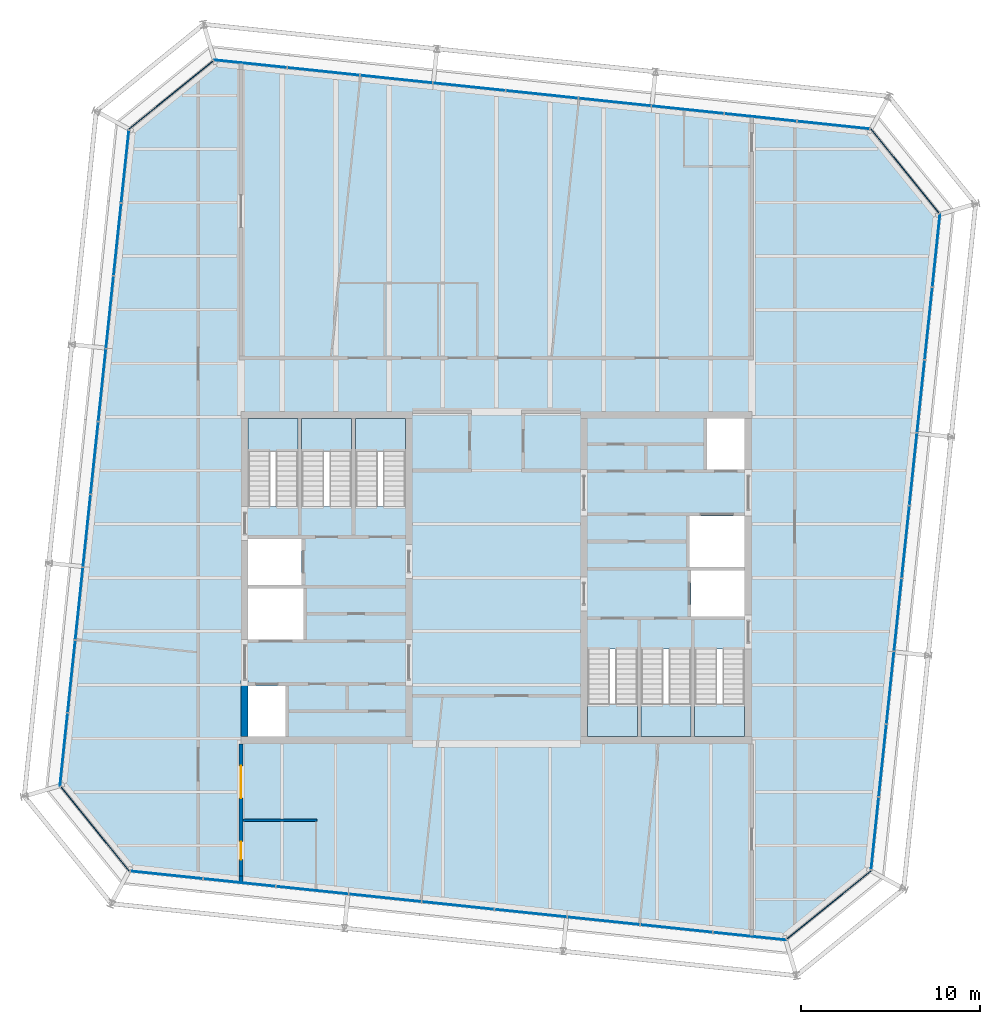
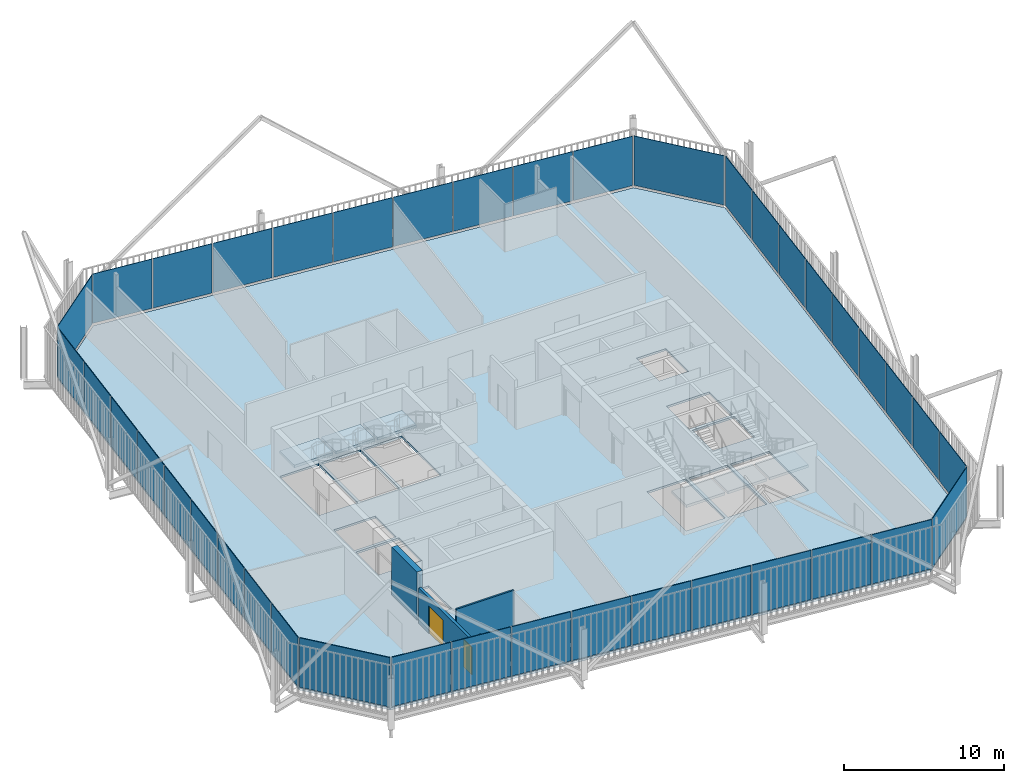
# One storey, part 16 of 21: 40 plates, 7 slabs, 4 walls, 2 doors, 2 openings, 14 elements without a shape of their own.
"""IFC4 building model written with IfcOpenShell, lengths in metres."""

from ifc_helpers import new_model, si_unit, direction, frame, frame_2d, origin, place, context, subcontext, project, spatial, polyline, rectangle, outline, extrude, material, layer, layer_set, type_object, element, fill, aggregate, save


model = new_model("IFC4")

# Units and contexts
model_context = context("Model", 3, precision=1e-05, world=origin(), true_north=direction((0.0, 1.0)))
body_context = subcontext(model_context, "Body", "Model", "MODEL_VIEW")
ifc_project = project(units=[si_unit("LENGTHUNIT", "METRE"), si_unit("AREAUNIT", "SQUARE_METRE"), si_unit("VOLUMEUNIT", "CUBIC_METRE"), si_unit("PLANEANGLEUNIT", "RADIAN"), si_unit("MASSUNIT", "GRAM", prefix="KILO")], contexts=[model_context])

# Site, building, storey
site_placement = place(None, origin())
site = spatial("IfcSite", under=ifc_project, at=site_placement, CompositionType="ELEMENT")
building_placement = place(site_placement, origin())
building = spatial("IfcBuilding", under=site, at=building_placement, Name="Millrace Tower", CompositionType="ELEMENT")
storey_placement = place(building_placement, frame((0.0, 0.0, 307.199951171875)))
storey = spatial("IfcBuildingStorey", under=building, at=storey_placement, Name="L71", CompositionType="ELEMENT", Elevation=307.199951171875)

# Curtain wall, plate
ifc_material_1 = material(Name="Aluminium and glass", Category="aluminium")
ifc_layer_1 = layer(ifc_material_1, 0.14990234375)
ifc_layer_set_1 = layer_set([ifc_layer_1], Name="Aluminium and glass")
curtain_wall_type = type_object("IfcCurtainWallType", Name="CW-1 office vision curtain wall", PredefinedType="NOTDEFINED", material=ifc_layer_set_1)
placement_1 = place(storey_placement, origin())
curtain_wall_1 = element("IfcCurtainWall", 1, at=placement_1, inside=storey, type_object=curtain_wall_type, Name="Curtain wall E-F01 L71", PredefinedType="NOTDEFINED")
ifc_material_2 = material(Name="Glass", Category="glass")
ifc_layer_2 = layer(ifc_material_2, 0.0439453125)
ifc_layer_set_2 = layer_set([ifc_layer_2], Name="Glass")
plate_type = type_object("IfcPlateType", Name="CW-1 office vision curtain wall triple-glazed vision panel", PredefinedType="CURTAIN_PANEL", material=ifc_layer_set_2)
placement_2 = place(storey_placement, frame((0.0, 0.0, 0.14013671875)))
plate_1 = element("IfcPlate", 2, at=placement_2, type_object=plate_type, Name="CW1 panel E-F01.1", PredefinedType="CURTAIN_PANEL", context=body_context, shape_type="SweptSolid", body=[
    extrude(outline(polyline([(-24.388427734375, -11.732421875), (-20.5771484375, -16.439208984375), (-20.554443359375, -16.397216796875), (-24.354248046875, -11.704833984375), (-24.388427734375, -11.732421875)])), origin(), (0.0, 0.0, 1.0), 3.760009765625),
])
aggregate(curtain_wall_1, [plate_1])

# Curtain wall, plates
curtain_wall_2 = element("IfcCurtainWall", 3, at=placement_1, inside=storey, type_object=curtain_wall_type, Name="Curtain wall E-F02 L71", PredefinedType="NOTDEFINED")
plate_2 = element("IfcPlate", 4, at=placement_2, type_object=plate_type, Name="CW1 panel E-F02.1", PredefinedType="CURTAIN_PANEL", context=body_context, shape_type="SweptSolid", body=[
    extrude(outline(polyline([(-20.472412109375, -16.4501953125), (-16.45947265625, -16.871826171875), (-16.454833984375, -16.828125), (-20.4677734375, -16.40625), (-20.472412109375, -16.4501953125)])), origin(), (0.0, 0.0, 1.0), 3.760009765625),
])
plate_3 = element("IfcPlate", 5, at=placement_2, type_object=plate_type, Name="CW1 panel E-F02.2", PredefinedType="CURTAIN_PANEL", context=body_context, shape_type="SweptSolid", body=[
    extrude(outline(polyline([(-16.39501953125, -16.878662109375), (-12.382080078125, -17.300537109375), (-12.37744140625, -17.256591796875), (-16.390380859375, -16.8349609375), (-16.39501953125, -16.878662109375)])), origin(), (0.0, 0.0, 1.0), 3.760009765625),
])
plate_4 = element("IfcPlate", 6, at=placement_2, type_object=plate_type, Name="CW1 panel E-F02.3", PredefinedType="CURTAIN_PANEL", context=body_context, shape_type="SweptSolid", body=[
    extrude(outline(polyline([(-12.3173828125, -17.30712890625), (-8.304443359375, -17.72900390625), (-8.2998046875, -17.685302734375), (-12.312744140625, -17.263427734375), (-12.3173828125, -17.30712890625)])), origin(), (0.0, 0.0, 1.0), 3.760009765625),
])
plate_5 = element("IfcPlate", 7, at=placement_2, type_object=plate_type, Name="CW1 panel E-F02.4", PredefinedType="CURTAIN_PANEL", context=body_context, shape_type="SweptSolid", body=[
    extrude(outline(polyline([(-8.23974609375, -17.73583984375), (-4.22705078125, -18.157470703125), (-4.222412109375, -18.11376953125), (-8.235107421875, -17.692138671875), (-8.23974609375, -17.73583984375)])), origin(), (0.0, 0.0, 1.0), 3.760009765625),
])
plate_6 = element("IfcPlate", 8, at=placement_2, type_object=plate_type, Name="CW1 panel E-F02.5", PredefinedType="CURTAIN_PANEL", context=body_context, shape_type="SweptSolid", body=[
    extrude(outline(polyline([(-4.162353515625, -18.164306640625), (-0.1494140625, -18.586181640625), (-0.144775390625, -18.54248046875), (-4.15771484375, -18.12060546875), (-4.162353515625, -18.164306640625)])), origin(), (0.0, 0.0, 1.0), 3.760009765625),
])
plate_7 = element("IfcPlate", 9, at=placement_2, type_object=plate_type, Name="CW1 panel E-F02.6", PredefinedType="CURTAIN_PANEL", context=body_context, shape_type="SweptSolid", body=[
    extrude(outline(polyline([(-0.084716796875, -18.593017578125), (3.92822265625, -19.0146484375), (3.932861328125, -18.970947265625), (-0.080078125, -18.549072265625), (-0.084716796875, -18.593017578125)])), origin(), (0.0, 0.0, 1.0), 3.760009765625),
])
plate_8 = element("IfcPlate", 10, at=placement_2, type_object=plate_type, Name="CW1 panel E-F02.7", PredefinedType="CURTAIN_PANEL", context=body_context, shape_type="SweptSolid", body=[
    extrude(outline(polyline([(3.99267578125, -19.021484375), (8.005615234375, -19.443359375), (8.01025390625, -19.3994140625), (3.997314453125, -18.977783203125), (3.99267578125, -19.021484375)])), origin(), (0.0, 0.0, 1.0), 3.760009765625),
])
plate_9 = element("IfcPlate", 11, at=placement_2, type_object=plate_type, Name="CW1 panel E-F02.8", PredefinedType="CURTAIN_PANEL", context=body_context, shape_type="SweptSolid", body=[
    extrude(outline(polyline([(8.0703125, -19.449951171875), (12.083251953125, -19.871826171875), (12.087890625, -19.828125), (8.074951171875, -19.40625), (8.0703125, -19.449951171875)])), origin(), (0.0, 0.0, 1.0), 3.760009765625),
])
plate_10 = element("IfcPlate", 12, at=placement_2, type_object=plate_type, Name="CW1 panel E-F02.9", PredefinedType="CURTAIN_PANEL", context=body_context, shape_type="SweptSolid", body=[
    extrude(outline(polyline([(12.14794921875, -19.878662109375), (16.20068359375, -20.3046875), (16.187255859375, -20.259033203125), (12.152587890625, -19.8349609375), (12.14794921875, -19.878662109375)])), origin(), (0.0, 0.0, 1.0), 3.760009765625),
])
aggregate(curtain_wall_2, [plate_2, plate_3, plate_4, plate_5, plate_6, plate_7, plate_8, plate_9, plate_10])

# Curtain wall, plate
curtain_wall_3 = element("IfcCurtainWall", 13, at=placement_1, inside=storey, type_object=curtain_wall_type, Name="Curtain wall E-F03 L71", PredefinedType="NOTDEFINED")
plate_11 = element("IfcPlate", 14, at=placement_2, type_object=plate_type, Name="CW1 panel E-F03.1", PredefinedType="CURTAIN_PANEL", context=body_context, shape_type="SweptSolid", body=[
    extrude(outline(polyline([(16.282470703125, -20.23828125), (20.989013671875, -16.427001953125), (20.947265625, -16.404296875), (16.2548828125, -20.2041015625), (16.282470703125, -20.23828125)])), origin(), (0.0, 0.0, 1.0), 3.760009765625),
])
aggregate(curtain_wall_3, [plate_11])

# Curtain wall, plates
curtain_wall_4 = element("IfcCurtainWall", 15, at=placement_1, inside=storey, type_object=curtain_wall_type, Name="Curtain wall E-F04 L71", PredefinedType="NOTDEFINED")
plate_12 = element("IfcPlate", 16, at=placement_2, type_object=plate_type, Name="CW1 panel E-F04.1", PredefinedType="CURTAIN_PANEL", context=body_context, shape_type="SweptSolid", body=[
    extrude(outline(polyline([(21.0, -16.322509765625), (21.421875, -12.3095703125), (21.378173828125, -12.304931640625), (20.956298828125, -16.31787109375), (21.0, -16.322509765625)])), origin(), (0.0, 0.0, 1.0), 3.760009765625),
])
plate_13 = element("IfcPlate", 17, at=placement_2, type_object=plate_type, Name="CW1 panel E-F04.2", PredefinedType="CURTAIN_PANEL", context=body_context, shape_type="SweptSolid", body=[
    extrude(outline(polyline([(21.4287109375, -12.244873046875), (21.850341796875, -8.23193359375), (21.806640625, -8.227294921875), (21.385009765625, -12.240234375), (21.4287109375, -12.244873046875)])), origin(), (0.0, 0.0, 1.0), 3.760009765625),
])
plate_14 = element("IfcPlate", 18, at=placement_2, type_object=plate_type, Name="CW1 panel E-F04.3", PredefinedType="CURTAIN_PANEL", context=body_context, shape_type="SweptSolid", body=[
    extrude(outline(polyline([(21.857177734375, -8.16748046875), (22.279052734375, -4.154541015625), (22.2353515625, -4.14990234375), (21.8134765625, -8.162841796875), (21.857177734375, -8.16748046875)])), origin(), (0.0, 0.0, 1.0), 3.760009765625),
])
plate_15 = element("IfcPlate", 19, at=placement_2, type_object=plate_type, Name="CW1 panel E-F04.4", PredefinedType="CURTAIN_PANEL", context=body_context, shape_type="SweptSolid", body=[
    extrude(outline(polyline([(22.285888671875, -4.08984375), (22.70751953125, -0.076904296875), (22.663818359375, -0.072265625), (22.241943359375, -4.085205078125), (22.285888671875, -4.08984375)])), origin(), (0.0, 0.0, 1.0), 3.760009765625),
])
plate_16 = element("IfcPlate", 20, at=placement_2, type_object=plate_type, Name="CW1 panel E-F04.5", PredefinedType="CURTAIN_PANEL", context=body_context, shape_type="SweptSolid", body=[
    extrude(outline(polyline([(22.71435546875, -0.01220703125), (23.13623046875, 4.00048828125), (23.09228515625, 4.005126953125), (22.670654296875, -0.007568359375), (22.71435546875, -0.01220703125)])), origin(), (0.0, 0.0, 1.0), 3.760009765625),
])
plate_17 = element("IfcPlate", 21, at=placement_2, type_object=plate_type, Name="CW1 panel E-F04.6", PredefinedType="CURTAIN_PANEL", context=body_context, shape_type="SweptSolid", body=[
    extrude(outline(polyline([(23.142822265625, 4.065185546875), (23.564697265625, 8.078125), (23.52099609375, 8.082763671875), (23.09912109375, 4.06982421875), (23.142822265625, 4.065185546875)])), origin(), (0.0, 0.0, 1.0), 3.760009765625),
])
plate_18 = element("IfcPlate", 22, at=placement_2, type_object=plate_type, Name="CW1 panel E-F04.7", PredefinedType="CURTAIN_PANEL", context=body_context, shape_type="SweptSolid", body=[
    extrude(outline(polyline([(23.571533203125, 8.142822265625), (23.9931640625, 12.15576171875), (23.949462890625, 12.160400390625), (23.52783203125, 8.1474609375), (23.571533203125, 8.142822265625)])), origin(), (0.0, 0.0, 1.0), 3.760009765625),
])
plate_19 = element("IfcPlate", 23, at=placement_2, type_object=plate_type, Name="CW1 panel E-F04.8", PredefinedType="CURTAIN_PANEL", context=body_context, shape_type="SweptSolid", body=[
    extrude(outline(polyline([(24.0, 12.22021484375), (24.421875, 16.233154296875), (24.378173828125, 16.23779296875), (23.956298828125, 12.224853515625), (24.0, 12.22021484375)])), origin(), (0.0, 0.0, 1.0), 3.760009765625),
])
plate_20 = element("IfcPlate", 24, at=placement_2, type_object=plate_type, Name="CW1 panel E-F04.9", PredefinedType="CURTAIN_PANEL", context=body_context, shape_type="SweptSolid", body=[
    extrude(outline(polyline([(24.4287109375, 16.2978515625), (24.8544921875, 20.350830078125), (24.808837890625, 20.337158203125), (24.384765625, 16.302490234375), (24.4287109375, 16.2978515625)])), origin(), (0.0, 0.0, 1.0), 3.760009765625),
])
aggregate(curtain_wall_4, [plate_12, plate_13, plate_14, plate_15, plate_16, plate_17, plate_18, plate_19, plate_20])

# Curtain wall, plate
curtain_wall_5 = element("IfcCurtainWall", 25, at=placement_1, inside=storey, type_object=curtain_wall_type, Name="Curtain wall E-F05 L71", PredefinedType="NOTDEFINED")
plate_21 = element("IfcPlate", 26, at=placement_2, type_object=plate_type, Name="CW1 panel E-F05.1", PredefinedType="CURTAIN_PANEL", context=body_context, shape_type="SweptSolid", body=[
    extrude(outline(polyline([(24.788330078125, 20.432373046875), (20.97705078125, 25.13916015625), (20.954345703125, 25.09716796875), (24.754150390625, 20.40478515625), (24.788330078125, 20.432373046875)])), origin(), (0.0, 0.0, 1.0), 3.760009765625),
])
aggregate(curtain_wall_5, [plate_21])

# Curtain wall, plates
curtain_wall_6 = element("IfcCurtainWall", 27, at=placement_1, inside=storey, type_object=curtain_wall_type, Name="Curtain wall E-F06 L71", PredefinedType="NOTDEFINED")
plate_22 = element("IfcPlate", 28, at=placement_2, type_object=plate_type, Name="CW1 panel E-F06.1", PredefinedType="CURTAIN_PANEL", context=body_context, shape_type="SweptSolid", body=[
    extrude(outline(polyline([(20.87255859375, 25.150146484375), (16.859619140625, 25.57177734375), (16.85498046875, 25.528076171875), (20.867919921875, 25.1064453125), (20.87255859375, 25.150146484375)])), origin(), (0.0, 0.0, 1.0), 3.760009765625),
])
plate_23 = element("IfcPlate", 29, at=placement_2, type_object=plate_type, Name="CW1 panel E-F06.2", PredefinedType="CURTAIN_PANEL", context=body_context, shape_type="SweptSolid", body=[
    extrude(outline(polyline([(16.794921875, 25.57861328125), (12.781982421875, 26.00048828125), (12.77734375, 25.956787109375), (16.790283203125, 25.534912109375), (16.794921875, 25.57861328125)])), origin(), (0.0, 0.0, 1.0), 3.760009765625),
])
plate_24 = element("IfcPlate", 30, at=placement_2, type_object=plate_type, Name="CW1 panel E-F06.3", PredefinedType="CURTAIN_PANEL", context=body_context, shape_type="SweptSolid", body=[
    extrude(outline(polyline([(12.71728515625, 26.00732421875), (8.70458984375, 26.428955078125), (8.699951171875, 26.38525390625), (12.712646484375, 25.96337890625), (12.71728515625, 26.00732421875)])), origin(), (0.0, 0.0, 1.0), 3.760009765625),
])
plate_25 = element("IfcPlate", 31, at=placement_2, type_object=plate_type, Name="CW1 panel E-F06.4", PredefinedType="CURTAIN_PANEL", context=body_context, shape_type="SweptSolid", body=[
    extrude(outline(polyline([(8.639892578125, 26.435791015625), (4.626953125, 26.857666015625), (4.622314453125, 26.813720703125), (8.63525390625, 26.39208984375), (8.639892578125, 26.435791015625)])), origin(), (0.0, 0.0, 1.0), 3.760009765625),
])
plate_26 = element("IfcPlate", 32, at=placement_2, type_object=plate_type, Name="CW1 panel E-F06.5", PredefinedType="CURTAIN_PANEL", context=body_context, shape_type="SweptSolid", body=[
    extrude(outline(polyline([(4.562255859375, 26.8642578125), (0.54931640625, 27.2861328125), (0.544677734375, 27.242431640625), (4.5576171875, 26.820556640625), (4.562255859375, 26.8642578125)])), origin(), (0.0, 0.0, 1.0), 3.760009765625),
])
plate_27 = element("IfcPlate", 33, at=placement_2, type_object=plate_type, Name="CW1 panel E-F06.6", PredefinedType="CURTAIN_PANEL", context=body_context, shape_type="SweptSolid", body=[
    extrude(outline(polyline([(0.48486328125, 27.29296875), (-3.528076171875, 27.714599609375), (-3.53271484375, 27.6708984375), (0.480224609375, 27.249267578125), (0.48486328125, 27.29296875)])), origin(), (0.0, 0.0, 1.0), 3.760009765625),
])
plate_28 = element("IfcPlate", 34, at=placement_2, type_object=plate_type, Name="CW1 panel E-F06.7", PredefinedType="CURTAIN_PANEL", context=body_context, shape_type="SweptSolid", body=[
    extrude(outline(polyline([(-3.5927734375, 27.721435546875), (-7.605712890625, 28.143310546875), (-7.6103515625, 28.099609375), (-3.597412109375, 27.677734375), (-3.5927734375, 27.721435546875)])), origin(), (0.0, 0.0, 1.0), 3.760009765625),
])
plate_29 = element("IfcPlate", 35, at=placement_2, type_object=plate_type, Name="CW1 panel E-F06.8", PredefinedType="CURTAIN_PANEL", context=body_context, shape_type="SweptSolid", body=[
    extrude(outline(polyline([(-7.67041015625, 28.150146484375), (-11.68310546875, 28.57177734375), (-11.687744140625, 28.528076171875), (-7.675048828125, 28.106201171875), (-7.67041015625, 28.150146484375)])), origin(), (0.0, 0.0, 1.0), 3.760009765625),
])
plate_30 = element("IfcPlate", 36, at=placement_2, type_object=plate_type, Name="CW1 panel E-F06.9", PredefinedType="CURTAIN_PANEL", context=body_context, shape_type="SweptSolid", body=[
    extrude(outline(polyline([(-11.747802734375, 28.57861328125), (-15.80078125, 29.004638671875), (-15.787109375, 28.958984375), (-11.75244140625, 28.534912109375), (-11.747802734375, 28.57861328125)])), origin(), (0.0, 0.0, 1.0), 3.760009765625),
])
aggregate(curtain_wall_6, [plate_22, plate_23, plate_24, plate_25, plate_26, plate_27, plate_28, plate_29, plate_30])

# Curtain wall, plate
curtain_wall_7 = element("IfcCurtainWall", 37, at=placement_1, inside=storey, type_object=curtain_wall_type, Name="Curtain wall E-F07 L71", PredefinedType="NOTDEFINED")
plate_31 = element("IfcPlate", 38, at=placement_2, type_object=plate_type, Name="CW1 panel E-F07.1", PredefinedType="CURTAIN_PANEL", context=body_context, shape_type="SweptSolid", body=[
    extrude(outline(polyline([(-15.882568359375, 28.9384765625), (-20.589111328125, 25.126953125), (-20.547119140625, 25.104248046875), (-15.854736328125, 28.904296875), (-15.882568359375, 28.9384765625)])), origin(), (0.0, 0.0, 1.0), 3.760009765625),
])
aggregate(curtain_wall_7, [plate_31])

# Curtain wall, plates
curtain_wall_8 = element("IfcCurtainWall", 39, at=placement_1, inside=storey, type_object=curtain_wall_type, Name="Curtain wall E-F08 L71", PredefinedType="NOTDEFINED")
plate_32 = element("IfcPlate", 40, at=placement_2, type_object=plate_type, Name="CW1 panel E-F08.1", PredefinedType="CURTAIN_PANEL", context=body_context, shape_type="SweptSolid", body=[
    extrude(outline(polyline([(-20.60009765625, 25.0224609375), (-21.02197265625, 21.009521484375), (-20.97802734375, 21.0048828125), (-20.556396484375, 25.017822265625), (-20.60009765625, 25.0224609375)])), origin(), (0.0, 0.0, 1.0), 3.760009765625),
])
plate_33 = element("IfcPlate", 41, at=placement_2, type_object=plate_type, Name="CW1 panel E-F08.2", PredefinedType="CURTAIN_PANEL", context=body_context, shape_type="SweptSolid", body=[
    extrude(outline(polyline([(-21.028564453125, 20.94482421875), (-21.450439453125, 16.93212890625), (-21.40673828125, 16.927490234375), (-20.98486328125, 20.9404296875), (-21.028564453125, 20.94482421875)])), origin(), (0.0, 0.0, 1.0), 3.760009765625),
])
plate_34 = element("IfcPlate", 42, at=placement_2, type_object=plate_type, Name="CW1 panel E-F08.3", PredefinedType="CURTAIN_PANEL", context=body_context, shape_type="SweptSolid", body=[
    extrude(outline(polyline([(-21.457275390625, 16.867431640625), (-21.87890625, 12.8544921875), (-21.835205078125, 12.849853515625), (-21.41357421875, 16.86279296875), (-21.457275390625, 16.867431640625)])), origin(), (0.0, 0.0, 1.0), 3.760009765625),
])
plate_35 = element("IfcPlate", 43, at=placement_2, type_object=plate_type, Name="CW1 panel E-F08.4", PredefinedType="CURTAIN_PANEL", context=body_context, shape_type="SweptSolid", body=[
    extrude(outline(polyline([(-21.8857421875, 12.789794921875), (-22.3076171875, 8.77685546875), (-22.263916015625, 8.772216796875), (-21.842041015625, 12.78515625), (-21.8857421875, 12.789794921875)])), origin(), (0.0, 0.0, 1.0), 3.760009765625),
])
plate_36 = element("IfcPlate", 44, at=placement_2, type_object=plate_type, Name="CW1 panel E-F08.5", PredefinedType="CURTAIN_PANEL", context=body_context, shape_type="SweptSolid", body=[
    extrude(outline(polyline([(-22.314453125, 8.71240234375), (-22.736083984375, 4.699462890625), (-22.6923828125, 4.69482421875), (-22.2705078125, 8.707763671875), (-22.314453125, 8.71240234375)])), origin(), (0.0, 0.0, 1.0), 3.760009765625),
])
plate_37 = element("IfcPlate", 45, at=placement_2, type_object=plate_type, Name="CW1 panel E-F08.6", PredefinedType="CURTAIN_PANEL", context=body_context, shape_type="SweptSolid", body=[
    extrude(outline(polyline([(-22.742919921875, 4.634765625), (-23.164794921875, 0.621826171875), (-23.120849609375, 0.6171875), (-22.69921875, 4.630126953125), (-22.742919921875, 4.634765625)])), origin(), (0.0, 0.0, 1.0), 3.760009765625),
])
plate_38 = element("IfcPlate", 46, at=placement_2, type_object=plate_type, Name="CW1 panel E-F08.7", PredefinedType="CURTAIN_PANEL", context=body_context, shape_type="SweptSolid", body=[
    extrude(outline(polyline([(-23.17138671875, 0.55712890625), (-23.59326171875, -3.45556640625), (-23.549560546875, -3.460205078125), (-23.127685546875, 0.552490234375), (-23.17138671875, 0.55712890625)])), origin(), (0.0, 0.0, 1.0), 3.760009765625),
])
plate_39 = element("IfcPlate", 47, at=placement_2, type_object=plate_type, Name="CW1 panel E-F08.8", PredefinedType="CURTAIN_PANEL", context=body_context, shape_type="SweptSolid", body=[
    extrude(outline(polyline([(-23.60009765625, -3.520263671875), (-24.021728515625, -7.533203125), (-23.97802734375, -7.537841796875), (-23.556396484375, -3.52490234375), (-23.60009765625, -3.520263671875)])), origin(), (0.0, 0.0, 1.0), 3.760009765625),
])
plate_40 = element("IfcPlate", 48, at=placement_2, type_object=plate_type, Name="CW1 panel E-F08.9", PredefinedType="CURTAIN_PANEL", context=body_context, shape_type="SweptSolid", body=[
    extrude(outline(polyline([(-24.028564453125, -7.597900390625), (-24.45458984375, -11.650634765625), (-24.408935546875, -11.63720703125), (-23.98486328125, -7.6025390625), (-24.028564453125, -7.597900390625)])), origin(), (0.0, 0.0, 1.0), 3.760009765625),
])
aggregate(curtain_wall_8, [plate_32, plate_33, plate_34, plate_35, plate_36, plate_37, plate_38, plate_39, plate_40])

# Slab
ifc_material_3 = material(Name="Concrete C35 on steel deck", Category="concrete")
ifc_layer_3 = layer(ifc_material_3, 0.159912109375)
ifc_layer_set_3 = layer_set([ifc_layer_3], Name="Concrete C35 on steel deck")
slab_type_1 = type_object("IfcSlabType", Name="Composite floor slab 160 mm", PredefinedType="FLOOR", material=ifc_layer_set_3)
slab_1_placement = place(storey_placement, frame((0.0, 0.0, -0.159912109375)))
element("IfcSlab", 49, at=slab_1_placement, inside=storey, type_object=slab_type_1, Name="SL-E-L71-S1", PredefinedType="FLOOR", context=body_context, shape_type="SweptSolid", body=[
    extrude(outline(polyline([(-24.35400390625, -11.620849609375), (-20.52685546875, -16.346923828125), (16.1708984375, -20.203857421875), (20.896728515625, -16.376953125), (24.75390625, 20.32080078125), (20.927001953125, 25.046875), (-15.77099609375, 28.90380859375), (-20.496826171875, 25.076904296875), (-24.35400390625, -11.620849609375)]), holes=[polyline([(-13.89990234375, -8.89990234375), (-11.800048828125, -8.89990234375), (-11.800048828125, -6.050048828125), (-13.89990234375, -6.050048828125), (-13.89990234375, -8.89990234375)]), polyline([(-13.89990234375, -3.449951171875), (-10.800048828125, -3.449951171875), (-10.800048828125, -0.60009765625), (-13.89990234375, -0.60009765625), (-13.89990234375, -3.449951171875)]), polyline([(-13.89990234375, -0.39990234375), (-10.89990234375, -0.39990234375), (-10.89990234375, 2.179931640625), (-13.89990234375, 2.179931640625), (-13.89990234375, -0.39990234375)]), polyline([(-13.89990234375, 4.0), (-11.10009765625, 4.0), (-11.10009765625, 8.89990234375), (-13.89990234375, 8.89990234375), (-13.89990234375, 4.0)]), polyline([(-10.89990234375, 4.0), (-8.10009765625, 4.0), (-8.10009765625, 8.89990234375), (-10.89990234375, 8.89990234375), (-10.89990234375, 4.0)]), polyline([(-7.89990234375, 4.0), (-5.10009765625, 4.0), (-5.10009765625, 8.89990234375), (-7.89990234375, 8.89990234375), (-7.89990234375, 4.0)]), polyline([(11.800048828125, 6.050048828125), (13.89990234375, 6.050048828125), (13.89990234375, 8.89990234375), (11.800048828125, 8.89990234375), (11.800048828125, 6.050048828125)]), polyline([(10.800048828125, 0.60009765625), (13.89990234375, 0.60009765625), (13.89990234375, 3.449951171875), (10.800048828125, 3.449951171875), (10.800048828125, 0.60009765625)]), polyline([(10.89990234375, -2.179931640625), (13.89990234375, -2.179931640625), (13.89990234375, 0.39990234375), (10.89990234375, 0.39990234375), (10.89990234375, -2.179931640625)]), polyline([(11.10009765625, -8.89990234375), (13.89990234375, -8.89990234375), (13.89990234375, -4.0), (11.10009765625, -4.0), (11.10009765625, -8.89990234375)]), polyline([(8.10009765625, -8.89990234375), (10.89990234375, -8.89990234375), (10.89990234375, -4.0), (8.10009765625, -4.0), (8.10009765625, -8.89990234375)]), polyline([(5.10009765625, -8.89990234375), (7.89990234375, -8.89990234375), (7.89990234375, -4.0), (5.10009765625, -4.0), (5.10009765625, -8.89990234375)])]), origin(), (0.0, 0.0, 1.0), 0.159912109375),
])

# Stair, slab
ifc_material_4 = material(Name="Concrete C35", Category="concrete")
stair_type = type_object("IfcStairType", Name="Exit stair", PredefinedType="HALF_TURN_STAIR", material=ifc_material_4)
stair_1 = element("IfcStair", 50, at=placement_1, inside=storey, type_object=stair_type, Name="Stair 1 W L71", PredefinedType="HALF_TURN_STAIR")
ifc_material_5 = material(Name="Concrete C40", Category="concrete")
ifc_layer_4 = layer(ifc_material_5, 0.199951171875)
ifc_layer_set_4 = layer_set([ifc_layer_4], Name="Concrete C40")
slab_type_2 = type_object("IfcSlabType", Name="Stair landing", PredefinedType="LANDING", material=ifc_layer_set_4)
placement_3 = place(storey_placement, frame((0.0, 0.0, 1.75)))
slab_2 = element("IfcSlab", 51, at=placement_3, type_object=slab_type_2, Name="ST12 landing 1", PredefinedType="LANDING", context=body_context, shape_type="SweptSolid", body=[
    extrude(outline(polyline([(-13.89990234375, 7.080078125), (-11.10009765625, 7.080078125), (-11.10009765625, 8.89990234375), (-13.89990234375, 8.89990234375), (-13.89990234375, 7.080078125)])), origin(), (0.0, 0.0, 1.0), 0.199951171875),
])
aggregate(stair_1, [slab_2])

stair_2 = element("IfcStair", 52, at=placement_1, inside=storey, type_object=stair_type, Name="Stair 2 W L71", PredefinedType="HALF_TURN_STAIR")
slab_3 = element("IfcSlab", 53, at=placement_3, type_object=slab_type_2, Name="ST12 landing 1", PredefinedType="LANDING", context=body_context, shape_type="SweptSolid", body=[
    extrude(outline(polyline([(-10.89990234375, 7.080078125), (-8.10009765625, 7.080078125), (-8.10009765625, 8.89990234375), (-10.89990234375, 8.89990234375), (-10.89990234375, 7.080078125)])), origin(), (0.0, 0.0, 1.0), 0.199951171875),
])
aggregate(stair_2, [slab_3])

stair_3 = element("IfcStair", 54, at=placement_1, inside=storey, type_object=stair_type, Name="Stair 3 W L71", PredefinedType="HALF_TURN_STAIR")
slab_4 = element("IfcSlab", 55, at=placement_3, type_object=slab_type_2, Name="ST12 landing 1", PredefinedType="LANDING", context=body_context, shape_type="SweptSolid", body=[
    extrude(outline(polyline([(-7.89990234375, 7.080078125), (-5.10009765625, 7.080078125), (-5.10009765625, 8.89990234375), (-7.89990234375, 8.89990234375), (-7.89990234375, 7.080078125)])), origin(), (0.0, 0.0, 1.0), 0.199951171875),
])
aggregate(stair_3, [slab_4])

stair_4 = element("IfcStair", 56, at=placement_1, inside=storey, type_object=stair_type, Name="Stair 1 E L71", PredefinedType="HALF_TURN_STAIR")
slab_5 = element("IfcSlab", 57, at=placement_3, type_object=slab_type_2, Name="ST12 landing 1", PredefinedType="LANDING", context=body_context, shape_type="SweptSolid", body=[
    extrude(outline(polyline([(11.10009765625, -8.89990234375), (13.89990234375, -8.89990234375), (13.89990234375, -7.080078125), (11.10009765625, -7.080078125), (11.10009765625, -8.89990234375)])), origin(), (0.0, 0.0, 1.0), 0.199951171875),
])
aggregate(stair_4, [slab_5])

stair_5 = element("IfcStair", 58, at=placement_1, inside=storey, type_object=stair_type, Name="Stair 2 E L71", PredefinedType="HALF_TURN_STAIR")
slab_6 = element("IfcSlab", 59, at=placement_3, type_object=slab_type_2, Name="ST12 landing 1", PredefinedType="LANDING", context=body_context, shape_type="SweptSolid", body=[
    extrude(outline(polyline([(8.10009765625, -8.89990234375), (10.89990234375, -8.89990234375), (10.89990234375, -7.080078125), (8.10009765625, -7.080078125), (8.10009765625, -8.89990234375)])), origin(), (0.0, 0.0, 1.0), 0.199951171875),
])
aggregate(stair_5, [slab_6])

stair_6 = element("IfcStair", 60, at=placement_1, inside=storey, type_object=stair_type, Name="Stair 3 E L71", PredefinedType="HALF_TURN_STAIR")
slab_7 = element("IfcSlab", 61, at=placement_3, type_object=slab_type_2, Name="ST12 landing 1", PredefinedType="LANDING", context=body_context, shape_type="SweptSolid", body=[
    extrude(outline(polyline([(5.10009765625, -8.89990234375), (7.89990234375, -8.89990234375), (7.89990234375, -7.080078125), (5.10009765625, -7.080078125), (5.10009765625, -8.89990234375)])), origin(), (0.0, 0.0, 1.0), 0.199951171875),
])
aggregate(stair_6, [slab_7])

# Walls
ifc_material_6 = material(Name="Concrete C60", Category="concrete")
ifc_layer_5 = layer(ifc_material_6, 0.39990234375)
ifc_layer_set_5 = layer_set([ifc_layer_5], Name="Concrete C60")
wall_type_1 = type_object("IfcWallType", Name="Core wall 400 Concrete C60", PredefinedType="SHEAR", material=ifc_layer_set_5)
wall_1_placement = place(storey_placement, frame((-14.10009765625, -8.89990234375, 0.0), z_axis=(0.0, 0.0, 1.0), x_axis=(0.0, 1.0, 0.0)))
element("IfcWall", 62, at=wall_1_placement, inside=storey, type_object=wall_type_1, Name="Core wall W L71", PredefinedType="SHEAR", context=body_context, shape_type="SweptSolid", body=[
    extrude(rectangle(XDim=3.14990234375, YDim=0.39990234375, at=frame_2d((1.574951171875, 0.0))), origin(), (0.0, 0.0, 1.0), 3.650146484375),
])
ifc_material_7 = material(Name="Masonry partition, fire-rated", Category="masonry")
ifc_layer_6 = layer(ifc_material_7, 0.199951171875)
ifc_layer_set_6 = layer_set([ifc_layer_6], Name="Masonry partition, fire-rated")
wall_type_2 = type_object("IfcWallType", Name="Corridor wall 200", PredefinedType="PARTITIONING", material=ifc_layer_set_6)
wall_2_placement = place(storey_placement, frame((-14.300048828125, -17.031494140625, 0.0), z_axis=(0.0, 0.0, 1.0), x_axis=(0.0, 1.0, 0.0)))
element("IfcWall", 63, at=wall_2_placement, inside=storey, type_object=wall_type_2, Name="Corridor wall L71", PredefinedType="PARTITIONING", context=body_context, shape_type="SweptSolid", body=[
    extrude(rectangle(XDim=0.339111328125, YDim=0.199951171875, at=frame_2d((0.16943359375, 0.0))), origin(), (0.0, 0.0, 1.0), 3.650146484375),
])

# Wall, openings, doors
wall_3_placement = place(storey_placement, frame((-14.300048828125, -16.6923828125, 0.0), z_axis=(0.0, 0.0, 1.0), x_axis=(0.0, 1.0, 0.0)))
wall_3 = element("IfcWall", 64, at=wall_3_placement, inside=storey, type_object=wall_type_2, Name="Corridor wall L71", PredefinedType="PARTITIONING", context=body_context, shape_type="SweptSolid", body=[
    extrude(rectangle(XDim=7.392333984375, YDim=0.199951171875, at=frame_2d((3.6962890625, 0.0))), origin(), (0.0, 0.0, 1.0), 2.722900390625),
])
opening_1_placement = place(wall_3_placement, frame((4.351806640625, 0.0, 0.0)))
opening_1 = element("IfcOpeningElement", 65, at=opening_1_placement, cuts=wall_3, Name="Opening 71-P010", PredefinedType="OPENING", context=body_context, shape_type="SweptSolid", body=[
    extrude(rectangle(XDim=1.800048828125, YDim=2.10009765625, at=frame_2d((0.89990234375, 1.050048828125))), frame((0.0, 0.10986328125, 0.0), z_axis=(0.0, -1.0, 0.0), x_axis=(1.0, 0.0, 0.0)), (0.0, 0.0, 1.0), 0.219970703125),
])
opening_2_placement = place(wall_3_placement, frame((0.911376953125, 0.0, 0.0)))
opening_2 = element("IfcOpeningElement", 66, at=opening_2_placement, cuts=wall_3, Name="Opening 71-P011", PredefinedType="OPENING", context=body_context, shape_type="SweptSolid", body=[
    extrude(rectangle(XDim=1.0, YDim=2.10009765625, at=frame_2d((0.5, 1.050048828125))), frame((0.0, 0.10986328125, 0.0), z_axis=(0.0, -1.0, 0.0), x_axis=(1.0, 0.0, 0.0)), (0.0, 0.0, 1.0), 0.219970703125),
])
ifc_material_8 = material(Name="Steel door set, fire-rated", Category="steel")
door_type_1 = type_object("IfcDoorType", Name="Corridor door 1000 x 2100", OperationType="SINGLE_SWING_LEFT", PredefinedType="DOOR", material=ifc_material_8)
door_1_placement = place(opening_2_placement, frame((1.0, 0.0, 0.0), z_axis=(0.0, 0.0, 1.0), x_axis=(-1.0, 0.0, 0.0)))
door_1 = element("IfcDoor", 67, at=door_1_placement, inside=storey, type_object=door_type_1, Name="Door 71-P011", OperationType="SINGLE_SWING_RIGHT", OverallHeight=2.10009765625, OverallWidth=1.0, PredefinedType="DOOR", context=body_context, shape_type="SweptSolid", body=[
    extrude(rectangle(XDim=1.0, YDim=2.10009765625, at=frame_2d((0.5, 1.050048828125))), frame((0.0, 0.02490234375, 0.0), z_axis=(0.0, -1.0, 0.0), x_axis=(1.0, 0.0, 0.0)), (0.0, 0.0, 1.0), 0.050048828125),
])
fill(opening_2, door_1)
ifc_material_9 = material(Name="Steel door set, fire-rated", Category="steel")
door_type_2 = type_object("IfcDoorType", Name="Corridor door 1800 x 2100", OperationType="DOUBLE_DOOR_SINGLE_SWING", PredefinedType="DOOR", material=ifc_material_9)
door_2_placement = place(opening_1_placement, frame((1.800048828125, 0.0, 0.0), z_axis=(0.0, 0.0, 1.0), x_axis=(-1.0, 0.0, 0.0)))
door_2 = element("IfcDoor", 68, at=door_2_placement, inside=storey, type_object=door_type_2, Name="Door 71-P010", OperationType="DOUBLE_DOOR_SINGLE_SWING", OverallHeight=2.10009765625, OverallWidth=1.800048828125, PredefinedType="DOOR", context=body_context, shape_type="SweptSolid", body=[
    extrude(rectangle(XDim=1.800048828125, YDim=2.10009765625, at=frame_2d((0.89990234375, 1.050048828125))), frame((0.0, 0.02490234375, 0.0), z_axis=(0.0, -1.0, 0.0), x_axis=(1.0, 0.0, 0.0)), (0.0, 0.0, 1.0), 0.050048828125),
])
fill(opening_1, door_2)

# Wall
ifc_material_10 = material(Name="Gypsum board partition")
ifc_layer_7 = layer(ifc_material_10, 0.1201171875)
ifc_layer_set_7 = layer_set([ifc_layer_7], Name="Gypsum board partition")
wall_type_3 = type_object("IfcWallType", Name="Partition wall 120", PredefinedType="PARTITIONING", material=ifc_layer_set_7)
wall_4_placement = place(storey_placement, frame((-14.199951171875, -13.5810546875, 0.0), z_axis=(0.0, 0.0, 1.0), x_axis=(1.0, 0.0, 0.0)))
element("IfcWall", 69, at=wall_4_placement, inside=storey, type_object=wall_type_3, Name="Partition wall L71", PredefinedType="PARTITIONING", context=body_context, shape_type="SweptSolid", body=[
    extrude(rectangle(XDim=4.159912109375, YDim=0.1201171875, at=frame_2d((2.080078125, 0.0))), origin(), (0.0, 0.0, 1.0), 3.650146484375),
])

save(model, "model.ifc")
